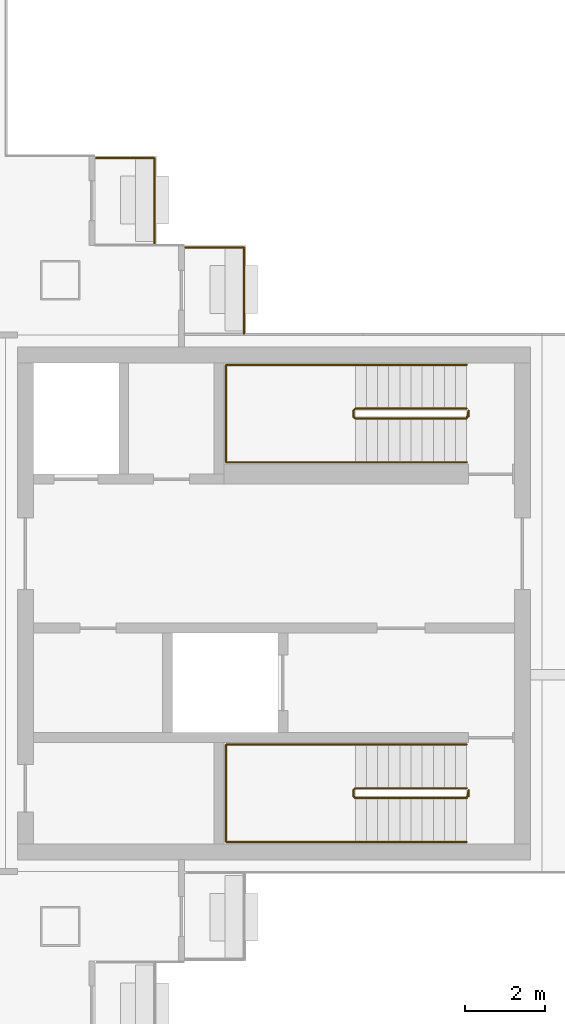
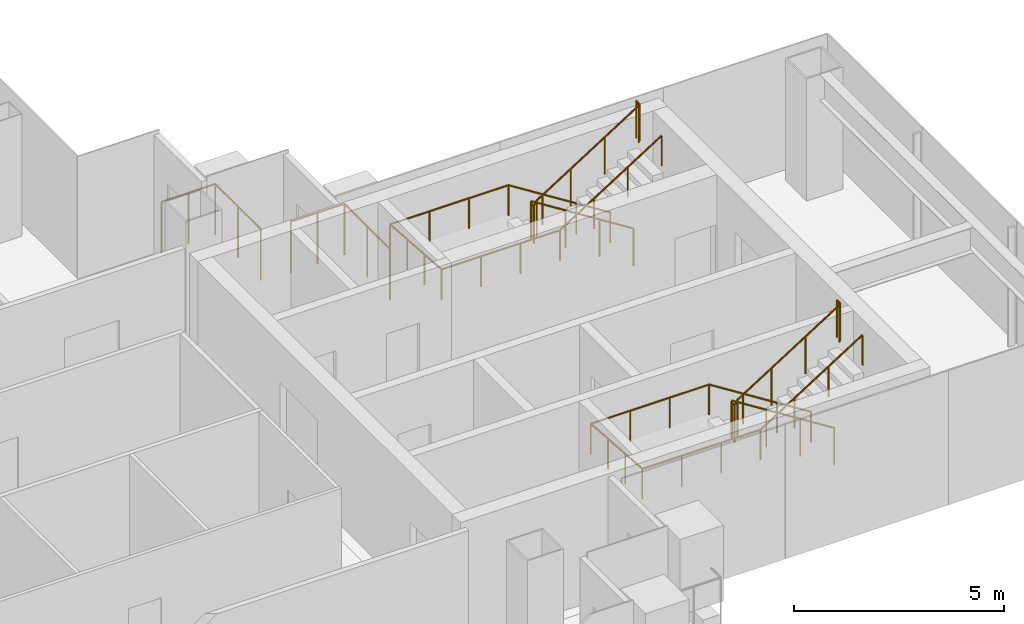
# One storey, part 15 of 16: 6 railings.
"""IFC4 building model written with IfcOpenShell, lengths in metres."""

from ifc_helpers import new_model, si_unit, direction, frame, origin, origin_2d, place, context, subcontext, project, spatial, circle, extrude, material, type_object, element, save


model = new_model("IFC4")

# Units and contexts
model_context = context("Model", 3, precision=1e-05, world=origin(), true_north=direction((0.0, 1.0)))
body_context = subcontext(model_context, "Body", "Model", "MODEL_VIEW")
ifc_project = project(units=[si_unit("LENGTHUNIT", "METRE"), si_unit("AREAUNIT", "SQUARE_METRE"), si_unit("VOLUMEUNIT", "CUBIC_METRE"), si_unit("PLANEANGLEUNIT", "RADIAN"), si_unit("MASSUNIT", "GRAM", prefix="KILO")], contexts=[model_context])

# Site, building, storey
site_placement = place(None, origin())
site = spatial("IfcSite", under=ifc_project, at=site_placement, CompositionType="ELEMENT")
building_placement = place(site_placement, origin())
building = spatial("IfcBuilding", under=site, at=building_placement, Name="Shamsa Quay Exchange Towers", CompositionType="ELEMENT")
storey_placement = place(building_placement, frame((0.0, 0.0, 190.5)))
storey = spatial("IfcBuildingStorey", under=building, at=storey_placement, Name="L45", CompositionType="ELEMENT", Elevation=190.5)

# Railings
ifc_material_1 = material(Name="Steel S355, black powder-coated", Category="steel")
railing_type_1 = type_object("IfcRailingType", Name="BALCONY GUARD 1500", PredefinedType="GUARDRAIL", material=ifc_material_1)
for number, where, name in (
    (1, (44.25, 9.0380859375, 0.0), "Balcony guard T2-PKES L45"),
    (2, (46.5, 6.7880859375, 0.0), "Balcony guard T2-PKES L45"),
):
    element("IfcRailing", number, at=place(storey_placement, frame(where)), inside=storey, type_object=railing_type_1, Name=name, PredefinedType="GUARDRAIL", context=body_context, shape_type="SweptSolid", body=[
        extrude(circle(Radius=0.02392578125, at=origin_2d()), frame((0.0, 0.0, 1.47607421875), z_axis=(0.0, 1.0, 0.0), x_axis=(-1.0, 0.0, 0.0)), (0.0, 0.0, 1.0), 2.161865234375),
        extrude(circle(Radius=0.02392578125, at=origin_2d()), frame((0.0, 2.161865234375, 1.47607421875), z_axis=(-1.0, 0.0, 0.0), x_axis=(0.0, -1.0, 0.0)), (0.0, 0.0, 1.0), 1.47900390625),
        extrude(circle(Radius=0.02099609375, at=origin_2d()), origin(), (0.0, 0.0, 1.0), 1.451904296875),
        extrude(circle(Radius=0.02099609375, at=origin_2d()), frame((0.0, 1.0810546875, 0.0)), (0.0, 0.0, 1.0), 1.451904296875),
        extrude(circle(Radius=0.02099609375, at=origin_2d()), frame((0.0, 2.161865234375, 0.0)), (0.0, 0.0, 1.0), 1.451904296875),
        extrude(circle(Radius=0.02099609375, at=origin_2d()), frame((-0.739501953125, 2.161865234375, 0.0)), (0.0, 0.0, 1.0), 1.451904296875),
        extrude(circle(Radius=0.02099609375, at=origin_2d()), frame((-1.47900390625, 2.161865234375, 0.0)), (0.0, 0.0, 1.0), 1.451904296875),
    ])
ifc_material_2 = material(Name="Stainless steel", Category="steel")
railing_type_2 = type_object("IfcRailingType", Name="STAIR GUARD 1100", PredefinedType="GUARDRAIL", material=ifc_material_2)
railing_1_placement = place(storey_placement, frame((52.10009765625, -4.64990234375, 0.17724609375)))
element("IfcRailing", 3, at=railing_1_placement, inside=storey, type_object=railing_type_2, Name="L45 ST5 stair guard 1", PredefinedType="GUARDRAIL", context=body_context, shape_type="SweptSolid", body=[
    extrude(circle(Radius=0.02392578125, at=origin_2d()), frame((0.0, 0.0, 1.076171875), z_axis=(-0.844908973607, 0.0, 0.534910110503), x_axis=(0.0, -1.0, 0.0)), (0.0, 0.0, 1.0), 3.31396484375),
    extrude(circle(Radius=0.02392578125, at=origin_2d()), frame((-2.800048828125, 0.0, 2.8486328125), z_axis=(-0.707106781187, -0.707106781187, 0.0), x_axis=(0.707106781187, -0.707106781187, 0.0)), (0.0, 0.0, 1.0), 0.07080078125),
    extrude(circle(Radius=0.02392578125, at=origin_2d()), frame((-2.85009765625, -0.050048828125, 2.8486328125), z_axis=(0.0, -1.0, 0.0), x_axis=(1.0, 0.0, 0.0)), (0.0, 0.0, 1.0), 0.150146484375),
    extrude(circle(Radius=0.02392578125, at=origin_2d()), frame((-2.85009765625, -0.2001953125, 2.8486328125), z_axis=(0.262321481514, -0.261041864531, 0.929001929653), x_axis=(0.705375805398, 0.708833529934, 0.0)), (0.0, 0.0, 1.0), 0.190673828125),
    extrude(circle(Radius=0.02392578125, at=origin_2d()), frame((-2.800048828125, -0.25, 3.02587890625), z_axis=(0.844908973607, 0.0, 0.534910110503), x_axis=(0.0, 1.0, 0.0)), (0.0, 0.0, 1.0), 3.31396484375),
    extrude(circle(Radius=0.02392578125, at=origin_2d()), frame((0.0, -0.25, 4.798828125), z_axis=(0.241699205484, 0.970351222016, 0.0), x_axis=(-0.970351222016, 0.241699205484, 0.0)), (0.0, 0.0, 1.0), 0.2060546875),
    extrude(circle(Radius=0.02392578125, at=origin_2d()), frame((0.0498046875, -0.050048828125, 4.798828125), z_axis=(0.0, -1.0, 0.0), x_axis=(1.0, 0.0, 0.0)), (0.0, 0.0, 1.0), 0.150146484375),
    extrude(circle(Radius=0.02099609375, at=origin_2d()), origin(), (0.0, 0.0, 1.0), 1.052001953125),
    extrude(circle(Radius=0.02099609375, at=origin_2d()), frame((-0.933349609375, 0.0, 0.5908203125)), (0.0, 0.0, 1.0), 1.052001953125),
    extrude(circle(Radius=0.02099609375, at=origin_2d()), frame((-1.86669921875, 0.0, 1.181884765625)), (0.0, 0.0, 1.0), 1.052001953125),
    extrude(circle(Radius=0.02099609375, at=origin_2d()), frame((-2.800048828125, 0.0, 1.772705078125)), (0.0, 0.0, 1.0), 1.052001953125),
    extrude(circle(Radius=0.02099609375, at=origin_2d()), frame((-2.85009765625, -0.050048828125, 1.772705078125)), (0.0, 0.0, 1.0), 1.052001953125),
    extrude(circle(Radius=0.02099609375, at=origin_2d()), frame((-2.85009765625, -0.2001953125, 1.772705078125)), (0.0, 0.0, 1.0), 1.052001953125),
    extrude(circle(Radius=0.02099609375, at=origin_2d()), frame((-2.800048828125, -0.25, 1.949951171875)), (0.0, 0.0, 1.0), 1.052001953125),
    extrude(circle(Radius=0.02099609375, at=origin_2d()), frame((-1.86669921875, -0.25, 2.540771484375)), (0.0, 0.0, 1.0), 1.052001953125),
    extrude(circle(Radius=0.02099609375, at=origin_2d()), frame((-0.933349609375, -0.25, 3.1318359375)), (0.0, 0.0, 1.0), 1.052001953125),
    extrude(circle(Radius=0.02099609375, at=origin_2d()), frame((0.0, -0.25, 3.72265625)), (0.0, 0.0, 1.0), 1.052001953125),
    extrude(circle(Radius=0.02099609375, at=origin_2d()), frame((0.0498046875, -0.050048828125, 3.72265625)), (0.0, 0.0, 1.0), 1.052001953125),
    extrude(circle(Radius=0.02099609375, at=origin_2d()), frame((0.0498046875, -0.2001953125, 3.72265625)), (0.0, 0.0, 1.0), 1.052001953125),
])
railing_2_placement = place(storey_placement, frame((52.10009765625, 4.89990234375, 0.17724609375)))
element("IfcRailing", 4, at=railing_2_placement, inside=storey, type_object=railing_type_2, Name="L45 ST6 stair guard 1", PredefinedType="GUARDRAIL", context=body_context, shape_type="SweptSolid", body=[
    extrude(circle(Radius=0.02392578125, at=origin_2d()), frame((0.0, 0.0, 1.076171875), z_axis=(-0.844908973607, 0.0, 0.534910110503), x_axis=(0.0, -1.0, 0.0)), (0.0, 0.0, 1.0), 3.31396484375),
    extrude(circle(Radius=0.02392578125, at=origin_2d()), frame((-2.800048828125, 0.0, 2.8486328125), z_axis=(-0.708833529934, -0.705375805398, 0.0), x_axis=(0.705375805398, -0.708833529934, 0.0)), (0.0, 0.0, 1.0), 0.070556640625),
    extrude(circle(Radius=0.02392578125, at=origin_2d()), frame((-2.85009765625, -0.0498046875, 2.8486328125), z_axis=(0.0, -1.0, 0.0), x_axis=(1.0, 0.0, 0.0)), (0.0, 0.0, 1.0), 0.150146484375),
    extrude(circle(Radius=0.02392578125, at=origin_2d()), frame((-2.85009765625, -0.199951171875, 2.8486328125), z_axis=(0.262233686654, -0.262233686654, 0.928691007369), x_axis=(0.707106781187, 0.707106781187, 0.0)), (0.0, 0.0, 1.0), 0.19091796875),
    extrude(circle(Radius=0.02392578125, at=origin_2d()), frame((-2.800048828125, -0.25, 3.02587890625), z_axis=(0.844908973607, 0.0, 0.534910110503), x_axis=(0.0, 1.0, 0.0)), (0.0, 0.0, 1.0), 3.31396484375),
    extrude(circle(Radius=0.02392578125, at=origin_2d()), frame((0.0, -0.25, 4.798828125), z_axis=(0.24142163986, 0.970420317083, 0.0), x_axis=(-0.970420317083, 0.24142163986, 0.0)), (0.0, 0.0, 1.0), 0.206298828125),
    extrude(circle(Radius=0.02392578125, at=origin_2d()), frame((0.0498046875, -0.0498046875, 4.798828125), z_axis=(0.0, -1.0, 0.0), x_axis=(1.0, 0.0, 0.0)), (0.0, 0.0, 1.0), 0.150146484375),
    extrude(circle(Radius=0.02099609375, at=origin_2d()), origin(), (0.0, 0.0, 1.0), 1.052001953125),
    extrude(circle(Radius=0.02099609375, at=origin_2d()), frame((-0.933349609375, 0.0, 0.5908203125)), (0.0, 0.0, 1.0), 1.052001953125),
    extrude(circle(Radius=0.02099609375, at=origin_2d()), frame((-1.86669921875, 0.0, 1.181884765625)), (0.0, 0.0, 1.0), 1.052001953125),
    extrude(circle(Radius=0.02099609375, at=origin_2d()), frame((-2.800048828125, 0.0, 1.772705078125)), (0.0, 0.0, 1.0), 1.052001953125),
    extrude(circle(Radius=0.02099609375, at=origin_2d()), frame((-2.85009765625, -0.0498046875, 1.772705078125)), (0.0, 0.0, 1.0), 1.052001953125),
    extrude(circle(Radius=0.02099609375, at=origin_2d()), frame((-2.85009765625, -0.199951171875, 1.772705078125)), (0.0, 0.0, 1.0), 1.052001953125),
    extrude(circle(Radius=0.02099609375, at=origin_2d()), frame((-2.800048828125, -0.25, 1.949951171875)), (0.0, 0.0, 1.0), 1.052001953125),
    extrude(circle(Radius=0.02099609375, at=origin_2d()), frame((-1.86669921875, -0.25, 2.540771484375)), (0.0, 0.0, 1.0), 1.052001953125),
    extrude(circle(Radius=0.02099609375, at=origin_2d()), frame((-0.933349609375, -0.25, 3.1318359375)), (0.0, 0.0, 1.0), 1.052001953125),
    extrude(circle(Radius=0.02099609375, at=origin_2d()), frame((0.0, -0.25, 3.72265625)), (0.0, 0.0, 1.0), 1.052001953125),
    extrude(circle(Radius=0.02099609375, at=origin_2d()), frame((0.0498046875, -0.0498046875, 3.72265625)), (0.0, 0.0, 1.0), 1.052001953125),
    extrude(circle(Radius=0.02099609375, at=origin_2d()), frame((0.0498046875, -0.199951171875, 3.72265625)), (0.0, 0.0, 1.0), 1.052001953125),
])
railing_type_3 = type_object("IfcRailingType", Name="STAIR HANDRAIL 900", PredefinedType="HANDRAIL", material=ifc_material_2)
railing_3_placement = place(storey_placement, frame((52.10009765625, -3.550048828125, 0.17724609375)))
element("IfcRailing", 5, at=railing_3_placement, inside=storey, type_object=railing_type_3, Name="L45 ST5 stair handrail 1", PredefinedType="HANDRAIL", context=body_context, shape_type="SweptSolid", body=[
    extrude(circle(Radius=0.02392578125, at=origin_2d()), frame((0.0, 0.0, 0.8759765625), z_axis=(-0.844908973607, 0.0, 0.534910110503), x_axis=(0.0, -1.0, 0.0)), (0.0, 0.0, 1.0), 3.31396484375),
    extrude(circle(Radius=0.02392578125, at=origin_2d()), frame((-2.800048828125, 0.0, 2.6484375), z_axis=(-1.0, 0.0, 0.0), x_axis=(0.0, -1.0, 0.0)), (0.0, 0.0, 1.0), 3.25),
    extrude(circle(Radius=0.02392578125, at=origin_2d()), frame((-6.050048828125, 0.0, 2.6484375), z_axis=(0.0, -0.997393199914, 0.07215819264), x_axis=(1.0, 0.0, 0.0)), (0.0, 0.0, 1.0), 2.456298828125),
    extrude(circle(Radius=0.02392578125, at=origin_2d()), frame((-6.050048828125, -2.449951171875, 2.82568359375), z_axis=(1.0, 0.0, 0.0), x_axis=(0.0, 1.0, 0.0)), (0.0, 0.0, 1.0), 3.25),
    extrude(circle(Radius=0.02392578125, at=origin_2d()), frame((-2.800048828125, -2.449951171875, 2.82568359375), z_axis=(0.844908973607, 0.0, 0.534910110503), x_axis=(0.0, 1.0, 0.0)), (0.0, 0.0, 1.0), 3.31396484375),
    extrude(circle(Radius=0.02099609375, at=origin_2d()), origin(), (0.0, 0.0, 1.0), 0.851806640625),
    extrude(circle(Radius=0.02099609375, at=origin_2d()), frame((-0.933349609375, 0.0, 0.5908203125)), (0.0, 0.0, 1.0), 0.851806640625),
    extrude(circle(Radius=0.02099609375, at=origin_2d()), frame((-1.86669921875, 0.0, 1.181884765625)), (0.0, 0.0, 1.0), 0.851806640625),
    extrude(circle(Radius=0.02099609375, at=origin_2d()), frame((-2.800048828125, 0.0, 1.772705078125)), (0.0, 0.0, 1.0), 0.851806640625),
    extrude(circle(Radius=0.02099609375, at=origin_2d()), frame((-3.88330078125, 0.0, 1.772705078125)), (0.0, 0.0, 1.0), 0.851806640625),
    extrude(circle(Radius=0.02099609375, at=origin_2d()), frame((-4.966796875, 0.0, 1.772705078125)), (0.0, 0.0, 1.0), 0.851806640625),
    extrude(circle(Radius=0.02099609375, at=origin_2d()), frame((-6.050048828125, 0.0, 1.772705078125)), (0.0, 0.0, 1.0), 0.851806640625),
    extrude(circle(Radius=0.02099609375, at=origin_2d()), frame((-6.050048828125, -0.816650390625, 1.831787109375)), (0.0, 0.0, 1.0), 0.851806640625),
    extrude(circle(Radius=0.02099609375, at=origin_2d()), frame((-6.050048828125, -1.63330078125, 1.890869140625)), (0.0, 0.0, 1.0), 0.851806640625),
    extrude(circle(Radius=0.02099609375, at=origin_2d()), frame((-6.050048828125, -2.449951171875, 1.949951171875)), (0.0, 0.0, 1.0), 0.851806640625),
    extrude(circle(Radius=0.02099609375, at=origin_2d()), frame((-4.966796875, -2.449951171875, 1.949951171875)), (0.0, 0.0, 1.0), 0.851806640625),
    extrude(circle(Radius=0.02099609375, at=origin_2d()), frame((-3.88330078125, -2.449951171875, 1.949951171875)), (0.0, 0.0, 1.0), 0.851806640625),
    extrude(circle(Radius=0.02099609375, at=origin_2d()), frame((-2.800048828125, -2.449951171875, 1.949951171875)), (0.0, 0.0, 1.0), 0.851806640625),
    extrude(circle(Radius=0.02099609375, at=origin_2d()), frame((-1.86669921875, -2.449951171875, 2.540771484375)), (0.0, 0.0, 1.0), 0.851806640625),
    extrude(circle(Radius=0.02099609375, at=origin_2d()), frame((-0.933349609375, -2.449951171875, 3.1318359375)), (0.0, 0.0, 1.0), 0.851806640625),
    extrude(circle(Radius=0.02099609375, at=origin_2d()), frame((0.0, -2.449951171875, 3.72265625)), (0.0, 0.0, 1.0), 0.851806640625),
])
railing_4_placement = place(storey_placement, frame((52.10009765625, 6.0, 0.17724609375)))
element("IfcRailing", 6, at=railing_4_placement, inside=storey, type_object=railing_type_3, Name="L45 ST6 stair handrail 1", PredefinedType="HANDRAIL", context=body_context, shape_type="SweptSolid", body=[
    extrude(circle(Radius=0.02392578125, at=origin_2d()), frame((0.0, 0.0, 0.8759765625), z_axis=(-0.844908973607, 0.0, 0.534910110503), x_axis=(0.0, -1.0, 0.0)), (0.0, 0.0, 1.0), 3.31396484375),
    extrude(circle(Radius=0.02392578125, at=origin_2d()), frame((-2.800048828125, 0.0, 2.6484375), z_axis=(-1.0, 0.0, 0.0), x_axis=(0.0, -1.0, 0.0)), (0.0, 0.0, 1.0), 3.25),
    extrude(circle(Radius=0.02392578125, at=origin_2d()), frame((-6.050048828125, 0.0, 2.6484375), z_axis=(0.0, -0.997393199914, 0.07215819264), x_axis=(1.0, 0.0, 0.0)), (0.0, 0.0, 1.0), 2.456298828125),
    extrude(circle(Radius=0.02392578125, at=origin_2d()), frame((-6.050048828125, -2.449951171875, 2.82568359375), z_axis=(1.0, 0.0, 0.0), x_axis=(0.0, 1.0, 0.0)), (0.0, 0.0, 1.0), 3.25),
    extrude(circle(Radius=0.02392578125, at=origin_2d()), frame((-2.800048828125, -2.449951171875, 2.82568359375), z_axis=(0.844908973607, 0.0, 0.534910110503), x_axis=(0.0, 1.0, 0.0)), (0.0, 0.0, 1.0), 3.31396484375),
    extrude(circle(Radius=0.02099609375, at=origin_2d()), origin(), (0.0, 0.0, 1.0), 0.851806640625),
    extrude(circle(Radius=0.02099609375, at=origin_2d()), frame((-0.933349609375, 0.0, 0.5908203125)), (0.0, 0.0, 1.0), 0.851806640625),
    extrude(circle(Radius=0.02099609375, at=origin_2d()), frame((-1.86669921875, 0.0, 1.181884765625)), (0.0, 0.0, 1.0), 0.851806640625),
    extrude(circle(Radius=0.02099609375, at=origin_2d()), frame((-2.800048828125, 0.0, 1.772705078125)), (0.0, 0.0, 1.0), 0.851806640625),
    extrude(circle(Radius=0.02099609375, at=origin_2d()), frame((-3.88330078125, 0.0, 1.772705078125)), (0.0, 0.0, 1.0), 0.851806640625),
    extrude(circle(Radius=0.02099609375, at=origin_2d()), frame((-4.966796875, 0.0, 1.772705078125)), (0.0, 0.0, 1.0), 0.851806640625),
    extrude(circle(Radius=0.02099609375, at=origin_2d()), frame((-6.050048828125, 0.0, 1.772705078125)), (0.0, 0.0, 1.0), 0.851806640625),
    extrude(circle(Radius=0.02099609375, at=origin_2d()), frame((-6.050048828125, -0.816650390625, 1.831787109375)), (0.0, 0.0, 1.0), 0.851806640625),
    extrude(circle(Radius=0.02099609375, at=origin_2d()), frame((-6.050048828125, -1.63330078125, 1.890869140625)), (0.0, 0.0, 1.0), 0.851806640625),
    extrude(circle(Radius=0.02099609375, at=origin_2d()), frame((-6.050048828125, -2.449951171875, 1.949951171875)), (0.0, 0.0, 1.0), 0.851806640625),
    extrude(circle(Radius=0.02099609375, at=origin_2d()), frame((-4.966796875, -2.449951171875, 1.949951171875)), (0.0, 0.0, 1.0), 0.851806640625),
    extrude(circle(Radius=0.02099609375, at=origin_2d()), frame((-3.88330078125, -2.449951171875, 1.949951171875)), (0.0, 0.0, 1.0), 0.851806640625),
    extrude(circle(Radius=0.02099609375, at=origin_2d()), frame((-2.800048828125, -2.449951171875, 1.949951171875)), (0.0, 0.0, 1.0), 0.851806640625),
    extrude(circle(Radius=0.02099609375, at=origin_2d()), frame((-1.86669921875, -2.449951171875, 2.540771484375)), (0.0, 0.0, 1.0), 0.851806640625),
    extrude(circle(Radius=0.02099609375, at=origin_2d()), frame((-0.933349609375, -2.449951171875, 3.1318359375)), (0.0, 0.0, 1.0), 0.851806640625),
    extrude(circle(Radius=0.02099609375, at=origin_2d()), frame((0.0, -2.449951171875, 3.72265625)), (0.0, 0.0, 1.0), 0.851806640625),
])

save(model, "model.ifc")
